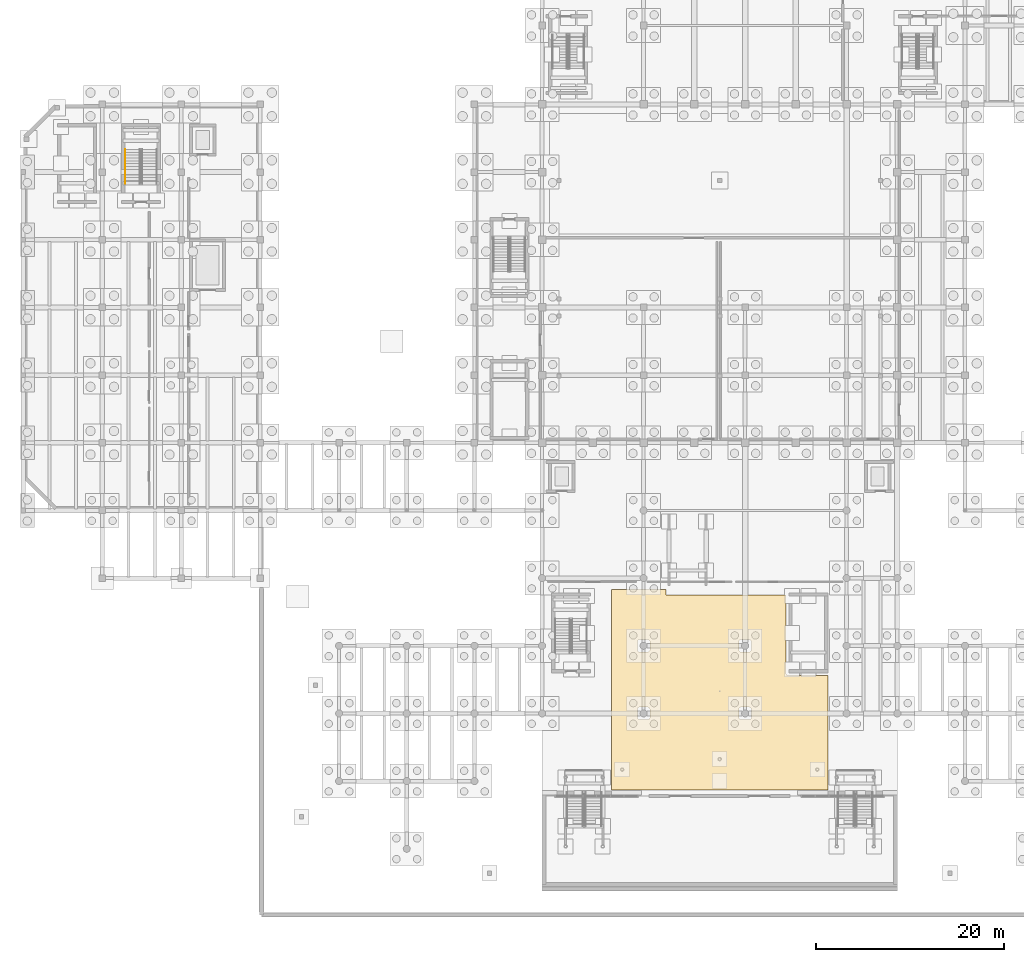
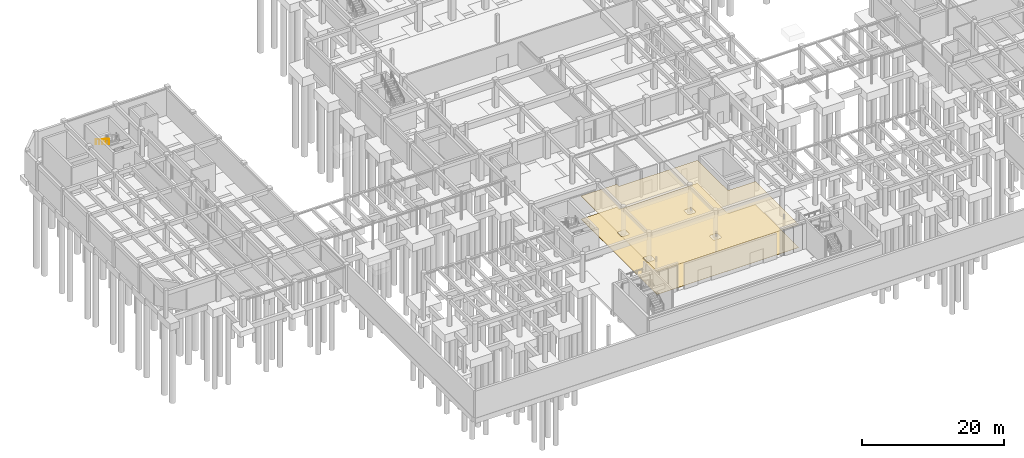
# One storey, part 38 of 46: 2 coverings, 1 railing.
"""IFC4 building model written with IfcOpenShell, lengths in metres."""

from ifc_helpers import new_model, si_unit, direction, frame, origin, origin_2d, place, context, subcontext, project, spatial, polyline, circle, outline, extrude, material, layer, layer_set, material_profile, profile_set, type_object, element, save


model = new_model("IFC4")

# Units and contexts
model_context = context("Model", 3, precision=1e-05, world=origin(), true_north=direction((0.0, 1.0)))
body_context = subcontext(model_context, "Body", "Model", "MODEL_VIEW")
ifc_project = project(units=[si_unit("LENGTHUNIT", "METRE"), si_unit("AREAUNIT", "SQUARE_METRE"), si_unit("VOLUMEUNIT", "CUBIC_METRE"), si_unit("PLANEANGLEUNIT", "RADIAN"), si_unit("MASSUNIT", "GRAM", prefix="KILO")], contexts=[model_context])

# Site, building, storey
site_placement = place(None, origin())
site = spatial("IfcSite", under=ifc_project, at=site_placement, CompositionType="ELEMENT")
building_placement = place(site_placement, origin())
building = spatial("IfcBuilding", under=site, at=building_placement, Name="Tazoul Stagehouse", CompositionType="ELEMENT")
storey_placement = place(building_placement, frame((0.0, 0.0, -4.800048828125)))
storey = spatial("IfcBuildingStorey", under=building, at=storey_placement, Name="B1", CompositionType="ELEMENT", Elevation=-4.800048828125)

# Railing
ifc_material_1 = material(Name="Brushed Stainless Steel 316L", Category="steel")
ifc_material_profile = material_profile(ifc_material_1, circle(Radius=0.02099609375, at=origin_2d()), Name="SS HANDRAIL D42")
ifc_profile_set = profile_set([ifc_material_profile], Name="Brushed Stainless Steel 316L")
railing_type = type_object("IfcRailingType", Name="Continuous Stair Handrail H900", PredefinedType="HANDRAIL", material=ifc_profile_set)
railing_placement = place(storey_placement, frame((13.25, 83.0, 2.584716796875)))
element("IfcRailing", 1, at=railing_placement, inside=storey, type_object=railing_type, Name="B1 ST-B6 stair handrail 2", PredefinedType="HANDRAIL", context=body_context, shape_type="SweptSolid", body=[
    extrude(circle(Radius=0.02392578125, at=origin_2d()), frame((0.0, 0.0, 0.8759765625), z_axis=(0.0, -0.85167021472, 0.524078090897), x_axis=(1.0, 0.0, 0.0)), (0.0, 0.0, 1.0), 4.22705078125),
    extrude(circle(Radius=0.02099609375, at=origin_2d()), origin(), (0.0, 0.0, 1.0), 0.851806640625),
    extrude(circle(Radius=0.02099609375, at=origin_2d()), frame((0.0, -0.89990234375, 0.5537109375)), (0.0, 0.0, 1.0), 0.851806640625),
    extrude(circle(Radius=0.02099609375, at=origin_2d()), frame((0.0, -1.800048828125, 1.107666015625)), (0.0, 0.0, 1.0), 0.851806640625),
    extrude(circle(Radius=0.02099609375, at=origin_2d()), frame((0.0, -2.7001953125, 1.66162109375)), (0.0, 0.0, 1.0), 0.851806640625),
    extrude(circle(Radius=0.02099609375, at=origin_2d()), frame((0.0, -3.60009765625, 2.21533203125)), (0.0, 0.0, 1.0), 0.851806640625),
])

# Coverings
ifc_material_2 = material(Name="Gypsum Acoustic Partition", Category="gypsum")
ifc_layer_1 = layer(ifc_material_2, 0.034912109375, Name="Gypsum Acoustic Partition")
ifc_layer_set_1 = layer_set([ifc_layer_1], Name="Gypsum Acoustic Partition")
covering_type_1 = type_object("IfcCoveringType", Name="Gypsum Acoustic Foyer Suspended Ceiling 35", PredefinedType="CEILING", material=ifc_layer_set_1)
covering_1_placement = place(storey_placement, frame((0.0, 0.0, 3.955078125)))
element("IfcCovering", 2, at=covering_1_placement, inside=storey, type_object=covering_type_1, Name="B1 B1 Sunken Metro Concourse Circulation Suspended Ceiling", PredefinedType="CEILING", context=body_context, shape_type="SweptSolid", body=[
    extrude(outline(polyline([(70.800048828125, 36.2099609375), (70.800048828125, 35.60009765625), (83.56005859375, 35.60009765625), (83.56005859375, 27.2900390625), (83.561279296875, 27.265380859375), (83.564697265625, 27.2412109375), (83.57080078125, 27.21728515625), (83.5791015625, 27.1943359375), (83.589599609375, 27.172119140625), (83.60009765625, 27.15478515625), (83.60009765625, 27.10009765625), (83.647705078125, 27.10009765625), (83.6513671875, 27.0966796875), (83.671142578125, 27.08203125), (83.692138671875, 27.069580078125), (83.71435546875, 27.05908203125), (83.7373046875, 27.05078125), (83.76123046875, 27.044921875), (83.785400390625, 27.041259765625), (83.81005859375, 27.0400390625), (88.010009765625, 27.0400390625), (88.010009765625, 14.840087890625), (64.989990234375, 14.840087890625), (64.989990234375, 36.2099609375), (70.800048828125, 36.2099609375)])), origin(), (0.0, 0.0, 1.0), 0.034912109375),
])
ifc_material_3 = material(Name="Honed Rabat Calcarenite Stone", Category="masonry")
ifc_layer_2 = layer(ifc_material_3, 0.030029296875, Name="Honed Rabat Calcarenite Stone")
ifc_layer_set_2 = layer_set([ifc_layer_2], Name="Honed Rabat Calcarenite Stone")
covering_type_2 = type_object("IfcCoveringType", Name="Honed Rabat Limestone Foyer Flooring 30", PredefinedType="FLOORING", material=ifc_layer_set_2)
covering_2_placement = place(storey_placement, origin())
element("IfcCovering", 3, at=covering_2_placement, inside=storey, type_object=covering_type_2, Name="B1 B1 Sunken Metro Concourse Circulation Flooring", PredefinedType="FLOORING", context=body_context, shape_type="SweptSolid", body=[
    extrude(outline(polyline([(70.800048828125, 36.2099609375), (70.800048828125, 35.60009765625), (83.56005859375, 35.60009765625), (83.56005859375, 27.2900390625), (83.561279296875, 27.265380859375), (83.564697265625, 27.2412109375), (83.57080078125, 27.21728515625), (83.5791015625, 27.1943359375), (83.589599609375, 27.172119140625), (83.60009765625, 27.15478515625), (83.60009765625, 27.10009765625), (83.647705078125, 27.10009765625), (83.6513671875, 27.0966796875), (83.671142578125, 27.08203125), (83.692138671875, 27.069580078125), (83.71435546875, 27.05908203125), (83.7373046875, 27.05078125), (83.76123046875, 27.044921875), (83.785400390625, 27.041259765625), (83.81005859375, 27.0400390625), (88.010009765625, 27.0400390625), (88.010009765625, 14.840087890625), (64.989990234375, 14.840087890625), (64.989990234375, 36.2099609375), (70.800048828125, 36.2099609375)]), holes=[polyline([(79.86376953125, 23.439453125), (79.860107421875, 23.4638671875), (79.854248046875, 23.487548828125), (79.845947265625, 23.5107421875), (79.83544921875, 23.53271484375), (79.822998046875, 23.553955078125), (79.808349609375, 23.573486328125), (79.791748046875, 23.591796875), (79.773681640625, 23.6083984375), (79.75390625, 23.622802734375), (79.73291015625, 23.635498046875), (79.710693359375, 23.64599609375), (79.6875, 23.654296875), (79.663818359375, 23.66015625), (79.639404296875, 23.663818359375), (79.614990234375, 23.6650390625), (78.784912109375, 23.6650390625), (78.760498046875, 23.663818359375), (78.736083984375, 23.66015625), (78.71240234375, 23.654296875), (78.689208984375, 23.64599609375), (78.667236328125, 23.635498046875), (78.64599609375, 23.622802734375), (78.62646484375, 23.6083984375), (78.608154296875, 23.591796875), (78.591796875, 23.573486328125), (78.5771484375, 23.553955078125), (78.564453125, 23.53271484375), (78.553955078125, 23.5107421875), (78.5458984375, 23.487548828125), (78.539794921875, 23.4638671875), (78.5361328125, 23.439453125), (78.534912109375, 23.4150390625), (78.534912109375, 22.5849609375), (78.5361328125, 22.560546875), (78.539794921875, 22.5361328125), (78.5458984375, 22.512451171875), (78.553955078125, 22.4892578125), (78.564453125, 22.46728515625), (78.5771484375, 22.446044921875), (78.591796875, 22.426513671875), (78.608154296875, 22.408203125), (78.62646484375, 22.3916015625), (78.64599609375, 22.377197265625), (78.667236328125, 22.364501953125), (78.689208984375, 22.35400390625), (78.71240234375, 22.345703125), (78.736083984375, 22.33984375), (78.760498046875, 22.336181640625), (78.784912109375, 22.3349609375), (79.614990234375, 22.3349609375), (79.639404296875, 22.336181640625), (79.663818359375, 22.33984375), (79.6875, 22.345703125), (79.710693359375, 22.35400390625), (79.73291015625, 22.364501953125), (79.75390625, 22.377197265625), (79.773681640625, 22.3916015625), (79.791748046875, 22.408203125), (79.808349609375, 22.426513671875), (79.822998046875, 22.446044921875), (79.83544921875, 22.46728515625), (79.845947265625, 22.4892578125), (79.854248046875, 22.512451171875), (79.860107421875, 22.5361328125), (79.86376953125, 22.560546875), (79.864990234375, 22.5849609375), (79.864990234375, 23.4150390625), (79.86376953125, 23.439453125)]), polyline([(79.86376953125, 30.639404296875), (79.860107421875, 30.663818359375), (79.854248046875, 30.6875), (79.845947265625, 30.710693359375), (79.83544921875, 30.73291015625), (79.822998046875, 30.75390625), (79.808349609375, 30.773681640625), (79.791748046875, 30.791748046875), (79.773681640625, 30.808349609375), (79.75390625, 30.822998046875), (79.73291015625, 30.83544921875), (79.710693359375, 30.845947265625), (79.6875, 30.854248046875), (79.663818359375, 30.860107421875), (79.639404296875, 30.86376953125), (79.614990234375, 30.864990234375), (78.784912109375, 30.864990234375), (78.760498046875, 30.86376953125), (78.736083984375, 30.860107421875), (78.71240234375, 30.854248046875), (78.689208984375, 30.845947265625), (78.667236328125, 30.83544921875), (78.64599609375, 30.822998046875), (78.62646484375, 30.808349609375), (78.608154296875, 30.791748046875), (78.591796875, 30.773681640625), (78.5771484375, 30.75390625), (78.564453125, 30.73291015625), (78.553955078125, 30.710693359375), (78.5458984375, 30.6875), (78.539794921875, 30.663818359375), (78.5361328125, 30.639404296875), (78.534912109375, 30.614990234375), (78.534912109375, 29.784912109375), (78.5361328125, 29.760498046875), (78.539794921875, 29.736083984375), (78.5458984375, 29.71240234375), (78.553955078125, 29.689208984375), (78.564453125, 29.667236328125), (78.5771484375, 29.64599609375), (78.591796875, 29.62646484375), (78.608154296875, 29.608154296875), (78.62646484375, 29.591796875), (78.64599609375, 29.5771484375), (78.667236328125, 29.564453125), (78.689208984375, 29.553955078125), (78.71240234375, 29.5458984375), (78.736083984375, 29.539794921875), (78.760498046875, 29.5361328125), (78.784912109375, 29.534912109375), (79.614990234375, 29.534912109375), (79.639404296875, 29.5361328125), (79.663818359375, 29.539794921875), (79.6875, 29.5458984375), (79.710693359375, 29.553955078125), (79.73291015625, 29.564453125), (79.75390625, 29.5771484375), (79.773681640625, 29.591796875), (79.791748046875, 29.608154296875), (79.808349609375, 29.62646484375), (79.822998046875, 29.64599609375), (79.83544921875, 29.667236328125), (79.845947265625, 29.689208984375), (79.854248046875, 29.71240234375), (79.860107421875, 29.736083984375), (79.86376953125, 29.760498046875), (79.864990234375, 29.784912109375), (79.864990234375, 30.614990234375), (79.86376953125, 30.639404296875)]), polyline([(69.063720703125, 23.439453125), (69.060302734375, 23.4638671875), (69.05419921875, 23.487548828125), (69.0458984375, 23.5107421875), (69.035400390625, 23.53271484375), (69.02294921875, 23.553955078125), (69.00830078125, 23.573486328125), (68.99169921875, 23.591796875), (68.9736328125, 23.6083984375), (68.953857421875, 23.622802734375), (68.932861328125, 23.635498046875), (68.91064453125, 23.64599609375), (68.8876953125, 23.654296875), (68.86376953125, 23.66015625), (68.839599609375, 23.663818359375), (68.81494140625, 23.6650390625), (67.985107421875, 23.6650390625), (67.96044921875, 23.663818359375), (67.936279296875, 23.66015625), (67.912353515625, 23.654296875), (67.889404296875, 23.64599609375), (67.8671875, 23.635498046875), (67.84619140625, 23.622802734375), (67.826416015625, 23.6083984375), (67.80810546875, 23.591796875), (67.791748046875, 23.573486328125), (67.777099609375, 23.553955078125), (67.764404296875, 23.53271484375), (67.75390625, 23.5107421875), (67.745849609375, 23.487548828125), (67.73974609375, 23.4638671875), (67.736083984375, 23.439453125), (67.735107421875, 23.4150390625), (67.735107421875, 22.5849609375), (67.736083984375, 22.560546875), (67.73974609375, 22.5361328125), (67.745849609375, 22.512451171875), (67.75390625, 22.4892578125), (67.764404296875, 22.46728515625), (67.777099609375, 22.446044921875), (67.791748046875, 22.426513671875), (67.80810546875, 22.408203125), (67.826416015625, 22.3916015625), (67.84619140625, 22.377197265625), (67.8671875, 22.364501953125), (67.889404296875, 22.35400390625), (67.912353515625, 22.345703125), (67.936279296875, 22.33984375), (67.96044921875, 22.336181640625), (67.985107421875, 22.3349609375), (68.81494140625, 22.3349609375), (68.839599609375, 22.336181640625), (68.86376953125, 22.33984375), (68.8876953125, 22.345703125), (68.91064453125, 22.35400390625), (68.932861328125, 22.364501953125), (68.953857421875, 22.377197265625), (68.9736328125, 22.3916015625), (68.99169921875, 22.408203125), (69.00830078125, 22.426513671875), (69.02294921875, 22.446044921875), (69.035400390625, 22.46728515625), (69.0458984375, 22.4892578125), (69.05419921875, 22.512451171875), (69.060302734375, 22.5361328125), (69.063720703125, 22.560546875), (69.06494140625, 22.5849609375), (69.06494140625, 23.4150390625), (69.063720703125, 23.439453125)]), polyline([(69.063720703125, 30.639404296875), (69.060302734375, 30.663818359375), (69.05419921875, 30.6875), (69.0458984375, 30.710693359375), (69.035400390625, 30.73291015625), (69.02294921875, 30.75390625), (69.00830078125, 30.773681640625), (68.99169921875, 30.791748046875), (68.9736328125, 30.808349609375), (68.953857421875, 30.822998046875), (68.932861328125, 30.83544921875), (68.91064453125, 30.845947265625), (68.8876953125, 30.854248046875), (68.86376953125, 30.860107421875), (68.839599609375, 30.86376953125), (68.81494140625, 30.864990234375), (67.985107421875, 30.864990234375), (67.96044921875, 30.86376953125), (67.936279296875, 30.860107421875), (67.912353515625, 30.854248046875), (67.889404296875, 30.845947265625), (67.8671875, 30.83544921875), (67.84619140625, 30.822998046875), (67.826416015625, 30.808349609375), (67.80810546875, 30.791748046875), (67.791748046875, 30.773681640625), (67.777099609375, 30.75390625), (67.764404296875, 30.73291015625), (67.75390625, 30.710693359375), (67.745849609375, 30.6875), (67.73974609375, 30.663818359375), (67.736083984375, 30.639404296875), (67.735107421875, 30.614990234375), (67.735107421875, 29.784912109375), (67.736083984375, 29.760498046875), (67.73974609375, 29.736083984375), (67.745849609375, 29.71240234375), (67.75390625, 29.689208984375), (67.764404296875, 29.667236328125), (67.777099609375, 29.64599609375), (67.791748046875, 29.62646484375), (67.80810546875, 29.608154296875), (67.826416015625, 29.591796875), (67.84619140625, 29.5771484375), (67.8671875, 29.564453125), (67.889404296875, 29.553955078125), (67.912353515625, 29.5458984375), (67.936279296875, 29.539794921875), (67.96044921875, 29.5361328125), (67.985107421875, 29.534912109375), (68.81494140625, 29.534912109375), (68.839599609375, 29.5361328125), (68.86376953125, 29.539794921875), (68.8876953125, 29.5458984375), (68.91064453125, 29.553955078125), (68.932861328125, 29.564453125), (68.953857421875, 29.5771484375), (68.9736328125, 29.591796875), (68.99169921875, 29.608154296875), (69.00830078125, 29.62646484375), (69.02294921875, 29.64599609375), (69.035400390625, 29.667236328125), (69.0458984375, 29.689208984375), (69.05419921875, 29.71240234375), (69.060302734375, 29.736083984375), (69.063720703125, 29.760498046875), (69.06494140625, 29.784912109375), (69.06494140625, 30.614990234375), (69.063720703125, 30.639404296875)])]), origin(), (0.0, 0.0, 1.0), 0.030029296875),
])

save(model, "model.ifc")
